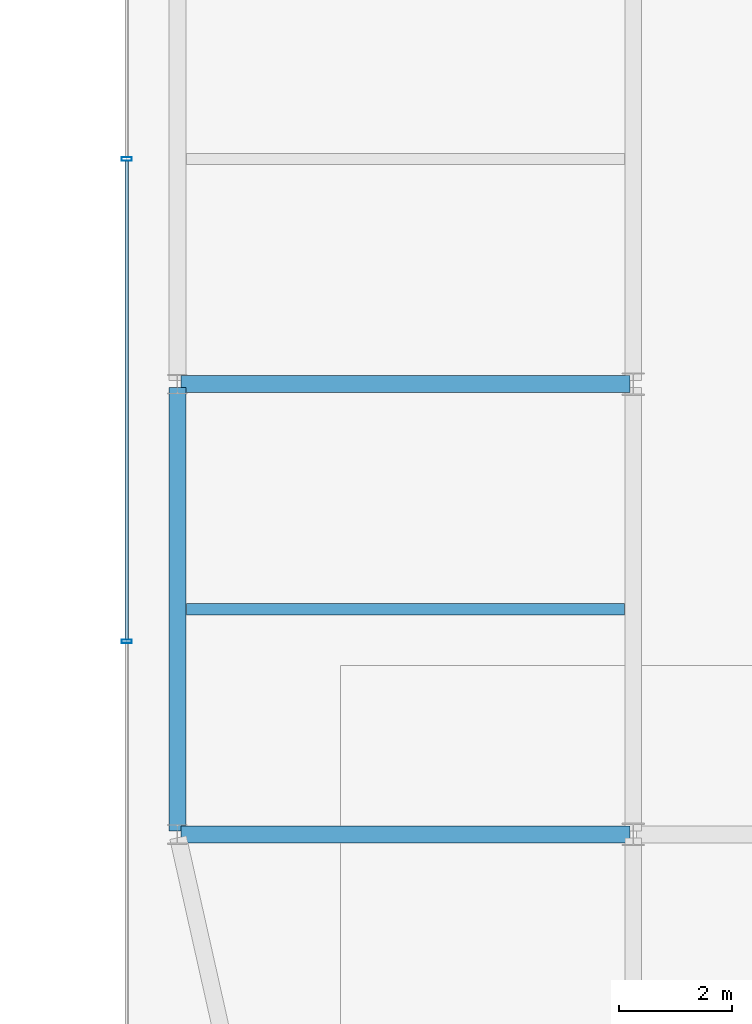
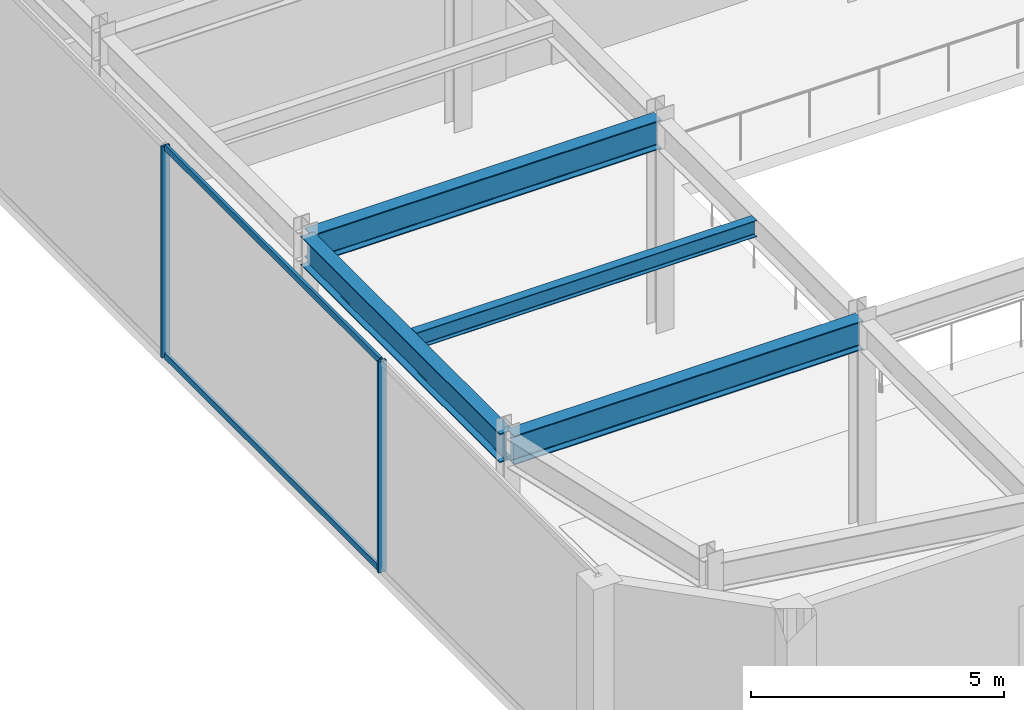
# One storey, part 34 of 52: 4 beams, 4 members, 1 element without a shape of its own.
"""IFC4 building model written with IfcOpenShell, lengths in metres."""

from ifc_helpers import new_model, si_unit, direction, frame, origin, origin_2d, place, context, subcontext, project, spatial, hollow_rectangle, i_section, extrude, material, material_profile, profile_set, type_object, element, aggregate, save


model = new_model("IFC4")

# Units and contexts
model_context = context("Model", 3, precision=1e-05, world=origin(), true_north=direction((0.0, 1.0)))
body_context = subcontext(model_context, "Body", "Model", "MODEL_VIEW")
ifc_project = project(units=[si_unit("LENGTHUNIT", "METRE"), si_unit("AREAUNIT", "SQUARE_METRE"), si_unit("VOLUMEUNIT", "CUBIC_METRE"), si_unit("PLANEANGLEUNIT", "RADIAN"), si_unit("MASSUNIT", "GRAM", prefix="KILO")], contexts=[model_context])

# Site, building, storey
site_placement = place(None, origin())
site = spatial("IfcSite", under=ifc_project, at=site_placement, CompositionType="ELEMENT")
building_placement = place(site_placement, origin())
building = spatial("IfcBuilding", under=site, at=building_placement, Name="Saevonmaru Cultural Tower", CompositionType="ELEMENT")
storey_placement = place(building_placement, frame((0.0, 0.0, 11.39990234375)))
storey = spatial("IfcBuildingStorey", under=building, at=storey_placement, Name="L02", CompositionType="ELEMENT", Elevation=11.39990234375)

# Beams
ifc_material_1 = material(Name="Steel SM355", Category="steel")
ifc_material_profile_1 = material_profile(ifc_material_1, i_section(OverallWidth=0.300048828125, OverallDepth=0.699951171875, WebThickness=0.012939453125, FlangeThickness=0.02392578125, FilletRadius=0.02587890625, at=origin_2d()), Name="H-700x300x13x24")
ifc_profile_set_1 = profile_set([ifc_material_profile_1], Name="Steel SM355")
beam_type_1 = type_object("IfcBeamType", Name="BM-G-H700", PredefinedType="BEAM", material=ifc_profile_set_1)
for number, where, z_axis, x_axis, name in (
    (1, (73.159912109375, 16.0, 4.75), (1.0, 0.0, 0.0), (0.0, 1.0, 0.0), "L02 Library Girder EW-2-1"),
    (2, (73.159912109375, 24.0, 4.75), (1.0, 0.0, 0.0), (0.0, 1.0, 0.0), "L02 Library Girder EW-3-1"),
):
    element("IfcBeam", number, at=place(storey_placement, frame(where, z_axis=z_axis, x_axis=x_axis)), inside=storey, type_object=beam_type_1, Name=name, PredefinedType="BEAM", context=body_context, shape_type="SweptSolid", body=[
        extrude(i_section(OverallWidth=0.300048828125, OverallDepth=0.699951171875, WebThickness=0.012939453125, FlangeThickness=0.02392578125, FilletRadius=0.02587890625, at=origin_2d()), origin(), (0.0, 0.0, 1.0), 7.97998046875),
    ])
beam_1_placement = place(storey_placement, frame((73.10009765625, 16.06005859375, 4.75), z_axis=(0.0, 1.0, 0.0), x_axis=(-1.0, 0.0, 0.0)))
element("IfcBeam", 3, at=beam_1_placement, inside=storey, type_object=beam_type_1, Name="L02 Library Girder NS-1-2", PredefinedType="BEAM", context=body_context, shape_type="SweptSolid", body=[
    extrude(i_section(OverallWidth=0.300048828125, OverallDepth=0.699951171875, WebThickness=0.012939453125, FlangeThickness=0.02392578125, FilletRadius=0.02587890625, at=origin_2d()), origin(), (0.0, 0.0, 1.0), 7.8798828125),
])
ifc_material_profile_2 = material_profile(ifc_material_1, i_section(OverallWidth=0.199951171875, OverallDepth=0.39990234375, WebThickness=0.008056640625, FlangeThickness=0.012939453125, FilletRadius=0.01611328125, at=origin_2d()), Name="H-400x200x8x13")
ifc_profile_set_2 = profile_set([ifc_material_profile_2], Name="Steel SM355")
beam_type_2 = type_object("IfcBeamType", Name="BM-J-H400", PredefinedType="JOIST", material=ifc_profile_set_2)
beam_2_placement = place(storey_placement, frame((73.258056640625, 20.0, 4.900146484375), z_axis=(1.0, 0.0, 0.0), x_axis=(0.0, 1.0, 0.0)))
element("IfcBeam", 4, at=beam_2_placement, inside=storey, type_object=beam_type_2, Name="L02 Library Joist J-2-1", PredefinedType="JOIST", context=body_context, shape_type="SweptSolid", body=[
    extrude(i_section(OverallWidth=0.199951171875, OverallDepth=0.39990234375, WebThickness=0.008056640625, FlangeThickness=0.012939453125, FilletRadius=0.01611328125, at=origin_2d()), origin(), (0.0, 0.0, 1.0), 7.783935546875),
])

# Curtain wall, members
ifc_material_2 = material(Name="Satin Bronze Anodised Aluminium", Category="aluminium")
curtain_wall_type = type_object("IfcCurtainWallType", Name="CW-LIB-GLZ", PredefinedType="NOTDEFINED", material=ifc_material_2)
curtain_wall_placement = place(storey_placement, origin())
curtain_wall = element("IfcCurtainWall", 5, at=curtain_wall_placement, inside=storey, type_object=curtain_wall_type, Name="L02 Central Library Reading Hall Curtain Wall 8", PredefinedType="NOTDEFINED")
ifc_material_profile_3 = material_profile(ifc_material_2, hollow_rectangle(XDim=0.06494140625, YDim=0.179931640625, WallThickness=0.00390625, at=origin_2d()), Name="ALU-MULL-180x65x4")
ifc_profile_set_3 = profile_set([ifc_material_profile_3], Name="Satin Bronze Anodised Aluminium")
member_type_1 = type_object("IfcMemberType", Name="ML-CW-180x65", PredefinedType="MULLION", material=ifc_profile_set_3)
member_1_placement = place(storey_placement, frame((72.199951171875, 28.0, 0.0), z_axis=(0.0, 0.0, 1.0), x_axis=(0.0, -1.0, 0.0)))
member_1 = element("IfcMember", 6, at=member_1_placement, type_object=member_type_1, Name="CW-LIB-8-L02 mullion 3", PredefinedType="MULLION", context=body_context, shape_type="SweptSolid", body=[
    extrude(hollow_rectangle(XDim=0.06494140625, YDim=0.179931640625, WallThickness=0.00390625, at=origin_2d()), origin(), (0.0, 0.0, 1.0), 5.10009765625),
])
member_2_placement = place(storey_placement, frame((72.199951171875, 19.429931640625, 0.0), z_axis=(0.0, 0.0, 1.0), x_axis=(0.0, -1.0, 0.0)))
member_2 = element("IfcMember", 7, at=member_2_placement, type_object=member_type_1, Name="CW-LIB-8-L02 mullion 4", PredefinedType="MULLION", context=body_context, shape_type="SweptSolid", body=[
    extrude(hollow_rectangle(XDim=0.06494140625, YDim=0.179931640625, WallThickness=0.00390625, at=origin_2d()), origin(), (0.0, 0.0, 1.0), 5.10009765625),
])
ifc_material_profile_4 = material_profile(ifc_material_2, hollow_rectangle(XDim=0.06494140625, YDim=0.14990234375, WallThickness=0.00390625, at=origin_2d()), Name="ALU-TRAN-150x65x4")
ifc_profile_set_4 = profile_set([ifc_material_profile_4], Name="Satin Bronze Anodised Aluminium")
member_type_2 = type_object("IfcMemberType", Name="TR-CW-150x65", PredefinedType="USERDEFINED", material=ifc_profile_set_4)
member_3_placement = place(storey_placement, frame((72.199951171875, 27.967529296875, 0.03271484375), z_axis=(0.0, -1.0, 0.0), x_axis=(1.0, 0.0, 0.0)))
member_3 = element("IfcMember", 8, at=member_3_placement, type_object=member_type_2, Name="CW-LIB-8-L02 transom 3.1", ObjectType="TRANSOM", PredefinedType="USERDEFINED", context=body_context, shape_type="SweptSolid", body=[
    extrude(hollow_rectangle(XDim=0.06494140625, YDim=0.14990234375, WallThickness=0.00390625, at=origin_2d()), origin(), (0.0, 0.0, 1.0), 8.505126953125),
])
member_4_placement = place(storey_placement, frame((72.199951171875, 27.967529296875, 5.067626953125), z_axis=(0.0, -1.0, 0.0), x_axis=(1.0, 0.0, 0.0)))
member_4 = element("IfcMember", 9, at=member_4_placement, type_object=member_type_2, Name="CW-LIB-8-L02 transom 3.2", ObjectType="TRANSOM", PredefinedType="USERDEFINED", context=body_context, shape_type="SweptSolid", body=[
    extrude(hollow_rectangle(XDim=0.06494140625, YDim=0.14990234375, WallThickness=0.00390625, at=origin_2d()), origin(), (0.0, 0.0, 1.0), 8.505126953125),
])
aggregate(curtain_wall, [member_1, member_2, member_3, member_4])

save(model, "model.ifc")
